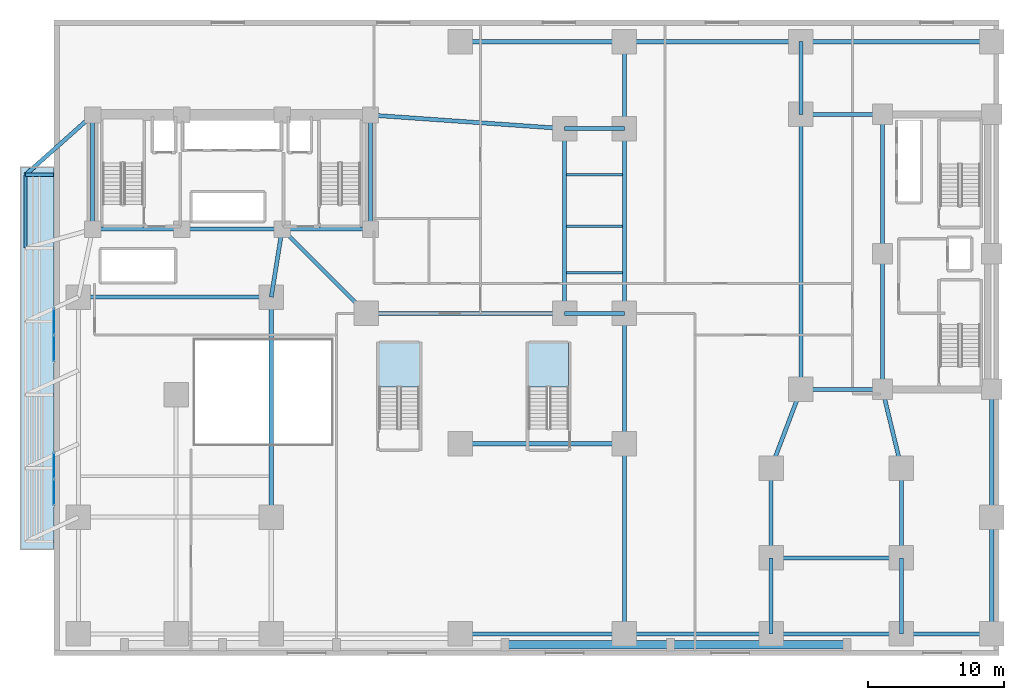
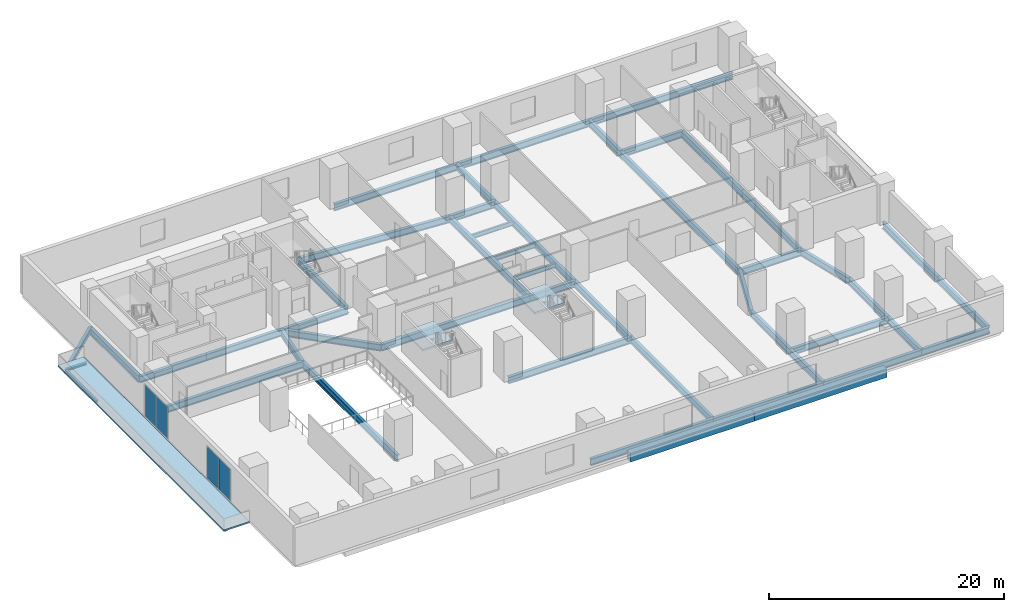
# One storey, part 5 of 13: 49 beams, 4 plates, 3 slabs, 4 elements without a shape of their own.
"""IFC4 building model written with IfcOpenShell, lengths in metres."""

import ifcopenshell
import ifcopenshell.guid

model = None  # the IFC model being written
_history = None  # IfcOwnerHistory: only IFC2X3 demands one
_inside = {}  # id of a spatial element -> (the spatial element, [elements in it])
_under = {}  # id of a project, library or spatial element -> (it, [spatial elements below it])
_declared = {}  # id of a project -> (the project, [libraries it declares])
_typed = {}  # id of a type object -> (the type object, [elements of that type])
_made_of = {}  # id of a material, layer set ... -> (it, [elements and type objects made of it])


def new_model(schema):
    """Start an empty IFC model of exactly this schema.

    Asked for "IFC4X3", IfcOpenShell would pick the latest addendum, in which some entities
    have other attributes; the version numbers below select the first issue.
    IFC2X3 requires an IfcOwnerHistory on every rooted entity: one is made here for all.
    """
    global model, _history
    if schema == "IFC4X3":
        model = ifcopenshell.file(schema_version=(4, 3, 0, 0))
    else:
        model = ifcopenshell.file(schema=schema)
    _inside.clear()
    _under.clear()
    _declared.clear()
    _typed.clear()
    _made_of.clear()
    _history = None
    if model.schema == "IFC2X3":
        org = make("IfcOrganization", Name="unknown")
        user = make(
            "IfcPersonAndOrganization",
            ThePerson=make("IfcPerson", FamilyName="unknown"),
            TheOrganization=org,
        )
        app = make(
            "IfcApplication",
            ApplicationDeveloper=org,
            Version="unknown",
            ApplicationFullName="unknown",
            ApplicationIdentifier="unknown",
        )
        _history = make(
            "IfcOwnerHistory",
            OwningUser=user,
            OwningApplication=app,
            ChangeAction="ADDED",
            CreationDate=0,
        )
    return model


def make(cls, **values):
    """One entity of the class cls with the attributes given. An attribute that is None is left unset."""
    return model.create_entity(
        cls, **{name: value for name, value in values.items() if value is not None}
    )


def rooted(cls, **values):
    """An entity with a GlobalId (a new one), such as an element, a storey or a relation."""
    return make(cls, GlobalId=ifcopenshell.guid.new(), OwnerHistory=_history, **values)


def si_unit(unit_type, name, prefix=None):
    """IfcSIUnit, for example si_unit("LENGTHUNIT", "METRE", prefix="MILLI")."""
    return make("IfcSIUnit", UnitType=unit_type, Prefix=prefix, Name=name)


def assignment(units):
    """IfcUnitAssignment: the units of a project."""
    return None if units is None else make("IfcUnitAssignment", Units=units)


def point(xyz):
    """IfcCartesianPoint."""
    return None if xyz is None else make("IfcCartesianPoint", Coordinates=xyz)


def direction(xyz):
    """IfcDirection."""
    return None if xyz is None else make("IfcDirection", DirectionRatios=xyz)


def frame(location, z_axis=None, x_axis=None):
    """IfcAxis2Placement3D, a coordinate frame: its origin and axes. An axis left out is left unset."""
    return make(
        "IfcAxis2Placement3D",
        Location=point(location),
        Axis=direction(z_axis),
        RefDirection=direction(x_axis),
    )


def frame_2d(location, x_axis=None):
    """IfcAxis2Placement2D, a coordinate frame in the plane: its origin and x axis."""
    return make(
        "IfcAxis2Placement2D", Location=point(location), RefDirection=direction(x_axis)
    )


def origin():
    """The frame at (0, 0, 0) with its axes left unset."""
    return frame((0.0, 0.0, 0.0))


def origin_2d():
    """The frame at (0, 0) in the plane with its x axis left unset."""
    return frame_2d((0.0, 0.0))


def place(relative_to, where):
    """IfcLocalPlacement: puts the frame where relative to a parent placement (None: the world)."""
    return make(
        "IfcLocalPlacement", PlacementRelTo=relative_to, RelativePlacement=where
    )


def context(
    kind, dimensions, precision=None, world=None, true_north=None, identifier=None
):
    """IfcGeometricRepresentationContext, for example the 3D "Model" context."""
    return make(
        "IfcGeometricRepresentationContext",
        ContextIdentifier=identifier,
        ContextType=kind,
        CoordinateSpaceDimension=dimensions,
        Precision=precision,
        WorldCoordinateSystem=world,
        TrueNorth=true_north,
    )


def subcontext(parent, identifier, kind, view, scale=None):
    """IfcGeometricRepresentationSubContext, for example "Body" below "Model"."""
    return make(
        "IfcGeometricRepresentationSubContext",
        ContextIdentifier=identifier,
        ContextType=kind,
        ParentContext=parent,
        TargetScale=scale,
        TargetView=view,
    )


def project(units=None, contexts=None):
    """IfcProject with its units and contexts."""
    return rooted(
        "IfcProject",
        Name="project",
        RepresentationContexts=contexts,
        UnitsInContext=assignment(units),
    )


def spatial(cls, under=None, at=None, **own):
    """A site, building, storey or space (cls), placed at a placement, below another one or the project."""
    s = rooted(cls, ObjectPlacement=at, **own)
    if under is not None:
        _under.setdefault(under.id(), (under, []))[1].append(s)
    return s


def polyline(points):
    """IfcPolyline through the points."""
    return make("IfcPolyline", Points=[point(p) for p in points])


def profile(cls, at=None, kind="AREA", **sizes):
    """A parametric profile (cls). Its sizes go by their IFC names, for example OverallWidth=200.0."""
    return make(cls, ProfileType=kind, Position=at, **sizes)


def rectangle(**sizes):
    """IfcRectangleProfileDef."""
    return profile("IfcRectangleProfileDef", **sizes)


def i_section(**sizes):
    """IfcIShapeProfileDef."""
    return profile("IfcIShapeProfileDef", **sizes)


def outline(outer, holes=None, kind="AREA"):
    """IfcArbitraryClosedProfileDef: a profile drawn as a closed curve; with holes, ...WithVoids."""
    if holes is None:
        return make("IfcArbitraryClosedProfileDef", ProfileType=kind, OuterCurve=outer)
    return make(
        "IfcArbitraryProfileDefWithVoids",
        ProfileType=kind,
        OuterCurve=outer,
        InnerCurves=holes,
    )


def extrude(swept, where, along, depth):
    """IfcExtrudedAreaSolid: the profile swept, set in the frame where, extruded along a direction by depth."""
    return make(
        "IfcExtrudedAreaSolid",
        SweptArea=swept,
        Position=where,
        ExtrudedDirection=direction(along),
        Depth=depth,
    )


def shape(context_of_items, identifier, shape_type, items):
    """IfcShapeRepresentation: the items that make up one representation, for example the "Body"."""
    return make(
        "IfcShapeRepresentation",
        ContextOfItems=context_of_items,
        RepresentationIdentifier=identifier,
        RepresentationType=shape_type,
        Items=items,
    )


def material(Name=None, Category=None):
    """IfcMaterial."""
    return make("IfcMaterial", Name=Name, Category=Category)


def layer(
    of_material, thickness, ventilated=None, Name=None, Category=None, Priority=None
):
    """IfcMaterialLayer: one layer of a wall or slab, of a material (None: an air gap)."""
    return make(
        "IfcMaterialLayer",
        Material=of_material,
        LayerThickness=thickness,
        IsVentilated=ventilated,
        Name=Name,
        Category=Category,
        Priority=Priority,
    )


def layer_set(layers, Name=None):
    """IfcMaterialLayerSet."""
    return make("IfcMaterialLayerSet", MaterialLayers=layers, LayerSetName=Name)


def material_profile(
    of_material, cross_section, Name=None, Category=None, Priority=None
):
    """IfcMaterialProfile: a cross section and its material."""
    return make(
        "IfcMaterialProfile",
        Name=Name,
        Material=of_material,
        Profile=cross_section,
        Priority=Priority,
        Category=Category,
    )


def profile_set(profiles, Name=None, composite=None):
    """IfcMaterialProfileSet."""
    return make(
        "IfcMaterialProfileSet",
        Name=Name,
        MaterialProfiles=profiles,
        CompositeProfile=composite,
    )


def made_of(thing, what):
    """Note that an element or type object is made of a material, layer set ...; save() writes the relation."""
    if what is not None:
        _made_of.setdefault(what.id(), (what, []))[1].append(thing)
    return thing


def type_object(cls, material=None, **own):
    """A type object (cls), such as IfcWallType, which elements share."""
    return made_of(rooted(cls, **own), material)


def element(
    cls,
    number,
    at=None,
    inside=None,
    cuts=None,
    type_object=None,
    material=None,
    context=None,
    identifier="Body",
    shape_type=None,
    held_by="IfcProductDefinitionShape",
    body=None,
    shapes=None,
    **own,
):
    """One element of the class cls, such as IfcWall. Its Tag is "e" and its number.

    at: its placement. inside: the storey or other place that contains it. cuts: it is an
    opening in that element (IfcRelVoidsElement). A single representation is given by context,
    identifier, shape_type and body (its items); several are given by shapes. held_by: the class
    of the entity that holds the representations. save() writes the other relations.
    """
    e = rooted(cls, Tag="e%d" % number, ObjectPlacement=at, **own)
    if body is not None:
        shapes = [shape(context, identifier, shape_type, body)]
    if shapes is not None:
        e.Representation = make(held_by, Representations=shapes)
    if inside is not None:
        _inside.setdefault(inside.id(), (inside, []))[1].append(e)
    if cuts is not None:
        rooted(
            "IfcRelVoidsElement", RelatingBuildingElement=cuts, RelatedOpeningElement=e
        )
    if type_object is not None:
        _typed.setdefault(type_object.id(), (type_object, []))[1].append(e)
    return made_of(e, material)


def aggregate(whole, parts):
    """IfcRelAggregates: a whole, such as a stair, and the parts it consists of."""
    return rooted("IfcRelAggregates", RelatingObject=whole, RelatedObjects=parts)


def save(model, path):
    """Write the relations noted so far, then the file.

    IfcRelAggregates (storeys below a building ...), IfcRelContainedInSpatialStructure (elements
    in a storey), IfcRelDefinesByType, IfcRelAssociatesMaterial and IfcRelDeclares: one each for
    every whole, place, type object, material and project.
    """
    for whole, parts in _under.values():
        aggregate(whole, parts)
    for where, things in _inside.values():
        rooted(
            "IfcRelContainedInSpatialStructure",
            RelatedElements=things,
            RelatingStructure=where,
        )
    for kind, things in _typed.values():
        rooted("IfcRelDefinesByType", RelatedObjects=things, RelatingType=kind)
    for what, things in _made_of.values():
        rooted("IfcRelAssociatesMaterial", RelatedObjects=things, RelatingMaterial=what)
    for by, libraries in _declared.values():
        rooted("IfcRelDeclares", RelatingContext=by, RelatedDefinitions=libraries)
    model.write(path)


model = new_model("IFC4")

# Units and contexts
model_context = context("Model", 3, precision=1e-05, world=origin(), true_north=direction((0.0, 1.0)))
body_context = subcontext(model_context, "Body", "Model", "MODEL_VIEW")
ifc_project = project(units=[si_unit("LENGTHUNIT", "METRE"), si_unit("AREAUNIT", "SQUARE_METRE"), si_unit("VOLUMEUNIT", "CUBIC_METRE"), si_unit("PLANEANGLEUNIT", "RADIAN"), si_unit("MASSUNIT", "GRAM", prefix="KILO")], contexts=[model_context])

# Site, building, storey
site_placement = place(None, origin())
site = spatial("IfcSite", under=ifc_project, at=site_placement, CompositionType="ELEMENT")
building_placement = place(site_placement, origin())
building = spatial("IfcBuilding", under=site, at=building_placement, Name="Kuzgunbayir Cultural Tower", CompositionType="ELEMENT")
storey_placement = place(building_placement, frame((0.0, 0.0, 4.60009765625)))
storey = spatial("IfcBuildingStorey", under=building, at=storey_placement, Name="L01", CompositionType="ELEMENT", Elevation=4.60009765625)

# Beams
ifc_material_1 = material(Name="Steel S355J2", Category="steel")
ifc_material_profile_1 = material_profile(ifc_material_1, i_section(OverallWidth=0.219970703125, OverallDepth=0.219970703125, WebThickness=0.009521484375, FlangeThickness=0.01611328125, FilletRadius=0.01806640625, at=origin_2d()), Name="HEB 220")
ifc_profile_set_1 = profile_set([ifc_material_profile_1], Name="Steel S355J2")
beam_type_1 = type_object("IfcBeamType", Name="BM-CAN-HEB220", PredefinedType="BEAM", material=ifc_profile_set_1)
beam_1_placement = place(storey_placement, frame((1.5, 32.39990234375, -0.360107421875), z_axis=(0.0, 1.0, 0.0), x_axis=(-1.0, 0.0, 0.0)))
element("IfcBeam", 1, at=beam_1_placement, inside=storey, type_object=beam_type_1, Name="L01 Entrance Canopy Edge Beam 5", PredefinedType="BEAM", context=body_context, shape_type="SweptSolid", body=[
    extrude(i_section(OverallWidth=0.219970703125, OverallDepth=0.219970703125, WebThickness=0.009521484375, FlangeThickness=0.01611328125, FilletRadius=0.01806640625, at=origin_2d()), origin(), (0.0, 0.0, 1.0), 5.400146484375),
])
ifc_material_profile_2 = material_profile(ifc_material_1, i_section(OverallWidth=0.239990234375, OverallDepth=0.239990234375, WebThickness=0.010009765625, FlangeThickness=0.01708984375, FilletRadius=0.02099609375, at=origin_2d()), Name="HEB 240")
ifc_profile_set_2 = profile_set([ifc_material_profile_2], Name="Steel S355J2")
beam_type_2 = type_object("IfcBeamType", Name="BM-CAN-HEB240", PredefinedType="BEAM", material=ifc_profile_set_2)
beam_2_placement = place(storey_placement, frame((1.5, 37.800048828125, -0.3701171875), z_axis=(1.0, 0.0, 0.0), x_axis=(0.0, 1.0, 0.0)))
element("IfcBeam", 2, at=beam_2_placement, inside=storey, type_object=beam_type_2, Name="L01 Entrance Canopy Cantilever 6", PredefinedType="BEAM", context=body_context, shape_type="SweptSolid", body=[
    extrude(i_section(OverallWidth=0.239990234375, OverallDepth=0.239990234375, WebThickness=0.010009765625, FlangeThickness=0.01708984375, FilletRadius=0.02099609375, at=origin_2d()), origin(), (0.0, 0.0, 1.0), 2.050048828125),
])
ifc_material_profile_3 = material_profile(ifc_material_1, i_section(OverallWidth=0.300048828125, OverallDepth=0.5, WebThickness=0.014404296875, FlangeThickness=0.028076171875, FilletRadius=0.027099609375, at=origin_2d()), Name="HEB 500")
ifc_profile_set_3 = profile_set([ifc_material_profile_3], Name="Steel S355J2")
beam_type_3 = type_object("IfcBeamType", Name="BM-EXT-HEB500", PredefinedType="BEAM", material=ifc_profile_set_3)
beam_3_placement = place(storey_placement, frame((1.5, 37.800048828125, -0.5), z_axis=(0.747413386398, 0.664359262623, 0.0), x_axis=(-0.664359262623, 0.747413386398, 0.0)))
element("IfcBeam", 3, at=beam_3_placement, inside=storey, type_object=beam_type_3, Name="L01 Colonnade Core Tie North", PredefinedType="BEAM", context=body_context, shape_type="SweptSolid", body=[
    extrude(i_section(OverallWidth=0.300048828125, OverallDepth=0.5, WebThickness=0.014404296875, FlangeThickness=0.028076171875, FilletRadius=0.027099609375, at=origin_2d()), origin(), (0.0, 0.0, 1.0), 6.622802734375),
])
ifc_material_profile_4 = material_profile(ifc_material_1, i_section(OverallWidth=0.300048828125, OverallDepth=0.699951171875, WebThickness=0.01708984375, FlangeThickness=0.031982421875, FilletRadius=0.027099609375, at=origin_2d()), Name="HEB 700")
ifc_profile_set_4 = profile_set([ifc_material_profile_4], Name="Steel S355J2")
beam_type_4 = type_object("IfcBeamType", Name="BM-GIR-HEB700", PredefinedType="BEAM", material=ifc_profile_set_4)
beam_4_placement = place(storey_placement, frame((33.5, 4.0, -0.60009765625), z_axis=(1.0, 0.0, 0.0), x_axis=(0.0, 1.0, 0.0)))
element("IfcBeam", 4, at=beam_4_placement, inside=storey, type_object=beam_type_4, Name="L01 Podium South Girder 4", PredefinedType="BEAM", context=body_context, shape_type="SweptSolid", body=[
    extrude(i_section(OverallWidth=0.300048828125, OverallDepth=0.699951171875, WebThickness=0.01708984375, FlangeThickness=0.031982421875, FilletRadius=0.027099609375, at=origin_2d()), origin(), (0.0, 0.0, 1.0), 12.10009765625),
])
beam_5_placement = place(storey_placement, frame((45.60009765625, 4.0, -0.60009765625), z_axis=(1.0, 0.0, 0.0), x_axis=(0.0, 1.0, 0.0)))
element("IfcBeam", 5, at=beam_5_placement, inside=storey, type_object=beam_type_4, Name="L01 Podium South Girder 5", PredefinedType="BEAM", context=body_context, shape_type="SweptSolid", body=[
    extrude(i_section(OverallWidth=0.300048828125, OverallDepth=0.699951171875, WebThickness=0.01708984375, FlangeThickness=0.031982421875, FilletRadius=0.027099609375, at=origin_2d()), origin(), (0.0, 0.0, 1.0), 10.7998046875),
])
beam_6_placement = place(storey_placement, frame((56.39990234375, 4.0, -0.60009765625), z_axis=(1.0, 0.0, 0.0), x_axis=(0.0, 1.0, 0.0)))
element("IfcBeam", 6, at=beam_6_placement, inside=storey, type_object=beam_type_4, Name="L01 Podium South Girder 6", PredefinedType="BEAM", context=body_context, shape_type="SweptSolid", body=[
    extrude(i_section(OverallWidth=0.300048828125, OverallDepth=0.699951171875, WebThickness=0.01708984375, FlangeThickness=0.031982421875, FilletRadius=0.027099609375, at=origin_2d()), origin(), (0.0, 0.0, 1.0), 9.60009765625),
])
beam_7_placement = place(storey_placement, frame((66.0, 4.0, -0.60009765625), z_axis=(1.0, 0.0, 0.0), x_axis=(0.0, 1.0, 0.0)))
element("IfcBeam", 7, at=beam_7_placement, inside=storey, type_object=beam_type_4, Name="L01 Podium South Girder 7", PredefinedType="BEAM", context=body_context, shape_type="SweptSolid", body=[
    extrude(i_section(OverallWidth=0.300048828125, OverallDepth=0.699951171875, WebThickness=0.01708984375, FlangeThickness=0.031982421875, FilletRadius=0.027099609375, at=origin_2d()), origin(), (0.0, 0.0, 1.0), 6.64990234375),
])
beam_8_placement = place(storey_placement, frame((33.5, 47.60009765625, -0.60009765625), z_axis=(1.0, 0.0, 0.0), x_axis=(0.0, 1.0, 0.0)))
element("IfcBeam", 8, at=beam_8_placement, inside=storey, type_object=beam_type_4, Name="L01 Podium North Girder 1", PredefinedType="BEAM", context=body_context, shape_type="SweptSolid", body=[
    extrude(i_section(OverallWidth=0.300048828125, OverallDepth=0.699951171875, WebThickness=0.01708984375, FlangeThickness=0.031982421875, FilletRadius=0.027099609375, at=origin_2d()), origin(), (0.0, 0.0, 1.0), 12.10009765625),
])
beam_9_placement = place(storey_placement, frame((45.60009765625, 47.60009765625, -0.60009765625), z_axis=(1.0, 0.0, 0.0), x_axis=(0.0, 1.0, 0.0)))
element("IfcBeam", 9, at=beam_9_placement, inside=storey, type_object=beam_type_4, Name="L01 Podium North Girder 2", PredefinedType="BEAM", context=body_context, shape_type="SweptSolid", body=[
    extrude(i_section(OverallWidth=0.300048828125, OverallDepth=0.699951171875, WebThickness=0.01708984375, FlangeThickness=0.031982421875, FilletRadius=0.027099609375, at=origin_2d()), origin(), (0.0, 0.0, 1.0), 13.0),
])
beam_10_placement = place(storey_placement, frame((58.60009765625, 47.60009765625, -0.60009765625), z_axis=(1.0, 0.0, 0.0), x_axis=(0.0, 1.0, 0.0)))
element("IfcBeam", 10, at=beam_10_placement, inside=storey, type_object=beam_type_4, Name="L01 Podium North Girder 3", PredefinedType="BEAM", context=body_context, shape_type="SweptSolid", body=[
    extrude(i_section(OverallWidth=0.300048828125, OverallDepth=0.699951171875, WebThickness=0.01708984375, FlangeThickness=0.031982421875, FilletRadius=0.027099609375, at=origin_2d()), origin(), (0.0, 0.0, 1.0), 14.0498046875),
])
beam_11_placement = place(storey_placement, frame((5.39990234375, 28.800048828125, -0.60009765625), z_axis=(1.0, 0.0, 0.0), x_axis=(0.0, 1.0, 0.0)))
element("IfcBeam", 11, at=beam_11_placement, inside=storey, type_object=beam_type_4, Name="L01 Podium Primary Girder 3", PredefinedType="BEAM", context=body_context, shape_type="SweptSolid", body=[
    extrude(i_section(OverallWidth=0.300048828125, OverallDepth=0.699951171875, WebThickness=0.01708984375, FlangeThickness=0.031982421875, FilletRadius=0.027099609375, at=origin_2d()), origin(), (0.0, 0.0, 1.0), 14.2001953125),
])
beam_12_placement = place(storey_placement, frame((19.60009765625, 12.60009765625, -0.60009765625), z_axis=(0.0, 1.0, 0.0), x_axis=(-1.0, 0.0, 0.0)))
element("IfcBeam", 12, at=beam_12_placement, inside=storey, type_object=beam_type_4, Name="L01 Podium Primary Girder 5", PredefinedType="BEAM", context=body_context, shape_type="SweptSolid", body=[
    extrude(i_section(OverallWidth=0.300048828125, OverallDepth=0.699951171875, WebThickness=0.01708984375, FlangeThickness=0.031982421875, FilletRadius=0.027099609375, at=origin_2d()), origin(), (0.0, 0.0, 1.0), 16.199951171875),
])
beam_13_placement = place(storey_placement, frame((19.60009765625, 28.800048828125, -0.60009765625), z_axis=(0.157952891656, 0.987446648694, 0.0), x_axis=(-0.987446648694, 0.157952891656, 0.0)))
element("IfcBeam", 13, at=beam_13_placement, inside=storey, type_object=beam_type_4, Name="L01 Podium Primary Girder 8", PredefinedType="BEAM", context=body_context, shape_type="SweptSolid", body=[
    extrude(i_section(OverallWidth=0.300048828125, OverallDepth=0.699951171875, WebThickness=0.01708984375, FlangeThickness=0.031982421875, FilletRadius=0.027099609375, at=origin_2d()), origin(), (0.0, 0.0, 1.0), 5.0634765625),
])
beam_14_placement = place(storey_placement, frame((20.39990234375, 33.800048828125, -0.60009765625), z_axis=(0.707120702941, -0.707092859158, 0.0), x_axis=(0.707092859158, 0.707120702941, 0.0)))
element("IfcBeam", 14, at=beam_14_placement, inside=storey, type_object=beam_type_4, Name="L01 Podium Primary Girder 9", PredefinedType="BEAM", context=body_context, shape_type="SweptSolid", body=[
    extrude(i_section(OverallWidth=0.300048828125, OverallDepth=0.699951171875, WebThickness=0.01708984375, FlangeThickness=0.031982421875, FilletRadius=0.027099609375, at=origin_2d()), origin(), (0.0, 0.0, 1.0), 8.768310546875),
])
beam_15_placement = place(storey_placement, frame((26.60009765625, 27.60009765625, -0.60009765625), z_axis=(1.0, 0.0, 0.0), x_axis=(0.0, 1.0, 0.0)))
element("IfcBeam", 15, at=beam_15_placement, inside=storey, type_object=beam_type_4, Name="L01 Podium Primary Girder 10", PredefinedType="BEAM", context=body_context, shape_type="SweptSolid", body=[
    extrude(i_section(OverallWidth=0.300048828125, OverallDepth=0.699951171875, WebThickness=0.01708984375, FlangeThickness=0.031982421875, FilletRadius=0.027099609375, at=origin_2d()), origin(), (0.0, 0.0, 1.0), 14.599853515625),
])
beam_16_placement = place(storey_placement, frame((41.199951171875, 27.60009765625, -0.60009765625), z_axis=(1.0, 0.0, 0.0), x_axis=(0.0, 1.0, 0.0)))
element("IfcBeam", 16, at=beam_16_placement, inside=storey, type_object=beam_type_4, Name="L01 Podium Primary Girder 11", PredefinedType="BEAM", context=body_context, shape_type="SweptSolid", body=[
    extrude(i_section(OverallWidth=0.300048828125, OverallDepth=0.699951171875, WebThickness=0.01708984375, FlangeThickness=0.031982421875, FilletRadius=0.027099609375, at=origin_2d()), origin(), (0.0, 0.0, 1.0), 4.400146484375),
])
beam_17_placement = place(storey_placement, frame((26.89990234375, 42.199951171875, -0.60009765625), z_axis=(0.997563840671, -0.06975947094, 0.0), x_axis=(0.06975947094, 0.997563840671, 0.0)))
element("IfcBeam", 17, at=beam_17_placement, inside=storey, type_object=beam_type_4, Name="L01 Podium Primary Girder 12", PredefinedType="BEAM", context=body_context, shape_type="SweptSolid", body=[
    extrude(i_section(OverallWidth=0.300048828125, OverallDepth=0.699951171875, WebThickness=0.01708984375, FlangeThickness=0.031982421875, FilletRadius=0.027099609375, at=origin_2d()), origin(), (0.0, 0.0, 1.0), 14.3349609375),
])
beam_18_placement = place(storey_placement, frame((41.199951171875, 41.199951171875, -0.60009765625), z_axis=(1.0, 0.0, 0.0), x_axis=(0.0, 1.0, 0.0)))
element("IfcBeam", 18, at=beam_18_placement, inside=storey, type_object=beam_type_4, Name="L01 Podium Primary Girder 13", PredefinedType="BEAM", context=body_context, shape_type="SweptSolid", body=[
    extrude(i_section(OverallWidth=0.300048828125, OverallDepth=0.699951171875, WebThickness=0.01708984375, FlangeThickness=0.031982421875, FilletRadius=0.027099609375, at=origin_2d()), origin(), (0.0, 0.0, 1.0), 4.400146484375),
])
for number, where, z_axis, x_axis, name in (
    (19, (41.199951171875, 27.60009765625, -0.60009765625), (0.0, 1.0, 0.0), (-1.0, 0.0, 0.0), "L01 Podium Primary Girder 14"),
    (20, (45.60009765625, 27.60009765625, -0.60009765625), (0.0, 1.0, 0.0), (-1.0, 0.0, 0.0), "L01 Podium Primary Girder 15"),
):
    element("IfcBeam", number, at=place(storey_placement, frame(where, z_axis=z_axis, x_axis=x_axis)), inside=storey, type_object=beam_type_4, Name=name, PredefinedType="BEAM", context=body_context, shape_type="SweptSolid", body=[
        extrude(i_section(OverallWidth=0.300048828125, OverallDepth=0.699951171875, WebThickness=0.01708984375, FlangeThickness=0.031982421875, FilletRadius=0.027099609375, at=origin_2d()), origin(), (0.0, 0.0, 1.0), 13.599853515625),
    ])
beam_19_placement = place(storey_placement, frame((33.5, 18.0, -0.60009765625), z_axis=(1.0, 0.0, 0.0), x_axis=(0.0, 1.0, 0.0)))
element("IfcBeam", 21, at=beam_19_placement, inside=storey, type_object=beam_type_4, Name="L01 Podium Primary Girder 16", PredefinedType="BEAM", context=body_context, shape_type="SweptSolid", body=[
    extrude(i_section(OverallWidth=0.300048828125, OverallDepth=0.699951171875, WebThickness=0.01708984375, FlangeThickness=0.031982421875, FilletRadius=0.027099609375, at=origin_2d()), origin(), (0.0, 0.0, 1.0), 12.10009765625),
])
for number, where, z_axis, x_axis, name in (
    (22, (45.60009765625, 18.0, -0.60009765625), (0.0, 1.0, 0.0), (-1.0, 0.0, 0.0), "L01 Podium Primary Girder 17"),
    (23, (56.39990234375, 9.60009765625, -0.60009765625), (1.0, 0.0, 0.0), (0.0, 1.0, 0.0), "L01 Podium Primary Girder 18"),
):
    element("IfcBeam", number, at=place(storey_placement, frame(where, z_axis=z_axis, x_axis=x_axis)), inside=storey, type_object=beam_type_4, Name=name, PredefinedType="BEAM", context=body_context, shape_type="SweptSolid", body=[
        extrude(i_section(OverallWidth=0.300048828125, OverallDepth=0.699951171875, WebThickness=0.01708984375, FlangeThickness=0.031982421875, FilletRadius=0.027099609375, at=origin_2d()), origin(), (0.0, 0.0, 1.0), 9.60009765625),
    ])
beam_20_placement = place(storey_placement, frame((56.39990234375, 9.60009765625, -0.60009765625), z_axis=(0.0, 1.0, 0.0), x_axis=(-1.0, 0.0, 0.0)))
element("IfcBeam", 24, at=beam_20_placement, inside=storey, type_object=beam_type_4, Name="L01 Podium Primary Girder 19", PredefinedType="BEAM", context=body_context, shape_type="SweptSolid", body=[
    extrude(i_section(OverallWidth=0.300048828125, OverallDepth=0.699951171875, WebThickness=0.01708984375, FlangeThickness=0.031982421875, FilletRadius=0.027099609375, at=origin_2d()), origin(), (0.0, 0.0, 1.0), 6.599853515625),
])
beam_21_placement = place(storey_placement, frame((56.39990234375, 16.199951171875, -0.60009765625), z_axis=(0.354679148754, 0.93498807556, 0.0), x_axis=(-0.93498807556, 0.354679148754, 0.0)))
element("IfcBeam", 25, at=beam_21_placement, inside=storey, type_object=beam_type_4, Name="L01 Podium Primary Girder 20", PredefinedType="BEAM", context=body_context, shape_type="SweptSolid", body=[
    extrude(i_section(OverallWidth=0.300048828125, OverallDepth=0.699951171875, WebThickness=0.01708984375, FlangeThickness=0.031982421875, FilletRadius=0.027099609375, at=origin_2d()), origin(), (0.0, 0.0, 1.0), 6.203369140625),
])
beam_22_placement = place(storey_placement, frame((66.0, 9.60009765625, -0.60009765625), z_axis=(0.0, 1.0, 0.0), x_axis=(-1.0, 0.0, 0.0)))
element("IfcBeam", 26, at=beam_22_placement, inside=storey, type_object=beam_type_4, Name="L01 Podium Primary Girder 21", PredefinedType="BEAM", context=body_context, shape_type="SweptSolid", body=[
    extrude(i_section(OverallWidth=0.300048828125, OverallDepth=0.699951171875, WebThickness=0.01708984375, FlangeThickness=0.031982421875, FilletRadius=0.027099609375, at=origin_2d()), origin(), (0.0, 0.0, 1.0), 6.599853515625),
])
beam_23_placement = place(storey_placement, frame((66.0, 16.199951171875, -0.60009765625), z_axis=(-0.234623200431, 0.972086392158, 0.0), x_axis=(-0.972086392158, -0.234623200431, 0.0)))
element("IfcBeam", 27, at=beam_23_placement, inside=storey, type_object=beam_type_4, Name="L01 Podium Primary Girder 22", PredefinedType="BEAM", context=body_context, shape_type="SweptSolid", body=[
    extrude(i_section(OverallWidth=0.300048828125, OverallDepth=0.699951171875, WebThickness=0.01708984375, FlangeThickness=0.031982421875, FilletRadius=0.027099609375, at=origin_2d()), origin(), (0.0, 0.0, 1.0), 5.966552734375),
])
for number, where, z_axis, x_axis, name in (
    (28, (58.60009765625, 22.0, -0.60009765625), (1.0, 0.0, 0.0), (0.0, 1.0, 0.0), "L01 Podium Primary Girder 23"),
    (29, (58.60009765625, 42.25, -0.60009765625), (1.0, 0.0, 0.0), (0.0, 1.0, 0.0), "L01 Podium Primary Girder 24"),
):
    element("IfcBeam", number, at=place(storey_placement, frame(where, z_axis=z_axis, x_axis=x_axis)), inside=storey, type_object=beam_type_4, Name=name, PredefinedType="BEAM", context=body_context, shape_type="SweptSolid", body=[
        extrude(i_section(OverallWidth=0.300048828125, OverallDepth=0.699951171875, WebThickness=0.01708984375, FlangeThickness=0.031982421875, FilletRadius=0.027099609375, at=origin_2d()), origin(), (0.0, 0.0, 1.0), 6.0),
    ])
beam_24_placement = place(storey_placement, frame((58.60009765625, 22.0, -0.60009765625), z_axis=(0.0, 1.0, 0.0), x_axis=(-1.0, 0.0, 0.0)))
element("IfcBeam", 30, at=beam_24_placement, inside=storey, type_object=beam_type_4, Name="L01 Podium Primary Girder 25", PredefinedType="BEAM", context=body_context, shape_type="SweptSolid", body=[
    extrude(i_section(OverallWidth=0.300048828125, OverallDepth=0.699951171875, WebThickness=0.01708984375, FlangeThickness=0.031982421875, FilletRadius=0.027099609375, at=origin_2d()), origin(), (0.0, 0.0, 1.0), 20.25),
])
beam_25_placement = place(storey_placement, frame((64.60009765625, 22.0, -0.60009765625), z_axis=(0.0, 1.0, 0.0), x_axis=(-1.0, 0.0, 0.0)))
element("IfcBeam", 31, at=beam_25_placement, inside=storey, type_object=beam_type_4, Name="L01 Podium Primary Girder 26", PredefinedType="BEAM", context=body_context, shape_type="SweptSolid", body=[
    extrude(i_section(OverallWidth=0.300048828125, OverallDepth=0.699951171875, WebThickness=0.01708984375, FlangeThickness=0.031982421875, FilletRadius=0.027099609375, at=origin_2d()), origin(), (0.0, 0.0, 1.0), 10.0),
])
beam_26_placement = place(storey_placement, frame((64.60009765625, 32.0, -0.60009765625), z_axis=(0.0, 1.0, 0.0), x_axis=(-1.0, 0.0, 0.0)))
element("IfcBeam", 32, at=beam_26_placement, inside=storey, type_object=beam_type_4, Name="L01 Podium Primary Girder 27", PredefinedType="BEAM", context=body_context, shape_type="SweptSolid", body=[
    extrude(i_section(OverallWidth=0.300048828125, OverallDepth=0.699951171875, WebThickness=0.01708984375, FlangeThickness=0.031982421875, FilletRadius=0.027099609375, at=origin_2d()), origin(), (0.0, 0.0, 1.0), 10.25),
])
beam_27_placement = place(storey_placement, frame((6.449951171875, 33.800048828125, -0.60009765625), z_axis=(1.0, 0.0, 0.0), x_axis=(0.0, 1.0, 0.0)))
element("IfcBeam", 33, at=beam_27_placement, inside=storey, type_object=beam_type_4, Name="L01 Podium Primary Girder 28", PredefinedType="BEAM", context=body_context, shape_type="SweptSolid", body=[
    extrude(i_section(OverallWidth=0.300048828125, OverallDepth=0.699951171875, WebThickness=0.01708984375, FlangeThickness=0.031982421875, FilletRadius=0.027099609375, at=origin_2d()), origin(), (0.0, 0.0, 1.0), 6.550048828125),
])
beam_28_placement = place(storey_placement, frame((13.0, 33.800048828125, -0.60009765625), z_axis=(1.0, 0.0, 0.0), x_axis=(0.0, 1.0, 0.0)))
element("IfcBeam", 34, at=beam_28_placement, inside=storey, type_object=beam_type_4, Name="L01 Podium Primary Girder 29", PredefinedType="BEAM", context=body_context, shape_type="SweptSolid", body=[
    extrude(i_section(OverallWidth=0.300048828125, OverallDepth=0.699951171875, WebThickness=0.01708984375, FlangeThickness=0.031982421875, FilletRadius=0.027099609375, at=origin_2d()), origin(), (0.0, 0.0, 1.0), 7.39990234375),
])
beam_29_placement = place(storey_placement, frame((20.39990234375, 33.800048828125, -0.60009765625), z_axis=(1.0, 0.0, 0.0), x_axis=(0.0, 1.0, 0.0)))
element("IfcBeam", 35, at=beam_29_placement, inside=storey, type_object=beam_type_4, Name="L01 Podium Primary Girder 30", PredefinedType="BEAM", context=body_context, shape_type="SweptSolid", body=[
    extrude(i_section(OverallWidth=0.300048828125, OverallDepth=0.699951171875, WebThickness=0.01708984375, FlangeThickness=0.031982421875, FilletRadius=0.027099609375, at=origin_2d()), origin(), (0.0, 0.0, 1.0), 6.5),
])
for number, where, z_axis, x_axis, name in (
    (36, (6.449951171875, 33.800048828125, -0.60009765625), (0.0, 1.0, 0.0), (-1.0, 0.0, 0.0), "L01 Podium Primary Girder 31"),
    (37, (26.89990234375, 33.800048828125, -0.60009765625), (0.0, 1.0, 0.0), (-1.0, 0.0, 0.0), "L01 Podium Primary Girder 32"),
):
    element("IfcBeam", number, at=place(storey_placement, frame(where, z_axis=z_axis, x_axis=x_axis)), inside=storey, type_object=beam_type_4, Name=name, PredefinedType="BEAM", context=body_context, shape_type="SweptSolid", body=[
        extrude(i_section(OverallWidth=0.300048828125, OverallDepth=0.699951171875, WebThickness=0.01708984375, FlangeThickness=0.031982421875, FilletRadius=0.027099609375, at=origin_2d()), origin(), (0.0, 0.0, 1.0), 8.39990234375),
    ])
beam_30_placement = place(storey_placement, frame((45.60009765625, 4.0, -0.60009765625), z_axis=(0.0, 1.0, 0.0), x_axis=(-1.0, 0.0, 0.0)))
element("IfcBeam", 38, at=beam_30_placement, inside=storey, type_object=beam_type_4, Name="L01 Podium Primary Girder 36", PredefinedType="BEAM", context=body_context, shape_type="SweptSolid", body=[
    extrude(i_section(OverallWidth=0.300048828125, OverallDepth=0.699951171875, WebThickness=0.01708984375, FlangeThickness=0.031982421875, FilletRadius=0.027099609375, at=origin_2d()), origin(), (0.0, 0.0, 1.0), 14.0),
])
for number, where, z_axis, x_axis, name in (
    (39, (56.39990234375, 4.0, -0.60009765625), (0.0, 1.0, 0.0), (-1.0, 0.0, 0.0), "L01 Podium Primary Girder 37"),
    (40, (66.0, 4.0, -0.60009765625), (0.0, 1.0, 0.0), (-1.0, 0.0, 0.0), "L01 Podium Primary Girder 38"),
):
    element("IfcBeam", number, at=place(storey_placement, frame(where, z_axis=z_axis, x_axis=x_axis)), inside=storey, type_object=beam_type_4, Name=name, PredefinedType="BEAM", context=body_context, shape_type="SweptSolid", body=[
        extrude(i_section(OverallWidth=0.300048828125, OverallDepth=0.699951171875, WebThickness=0.01708984375, FlangeThickness=0.031982421875, FilletRadius=0.027099609375, at=origin_2d()), origin(), (0.0, 0.0, 1.0), 5.60009765625),
    ])
beam_31_placement = place(storey_placement, frame((72.64990234375, 4.0, -0.60009765625), z_axis=(0.0, 1.0, 0.0), x_axis=(-1.0, 0.0, 0.0)))
element("IfcBeam", 41, at=beam_31_placement, inside=storey, type_object=beam_type_4, Name="L01 Podium Primary Girder 39", PredefinedType="BEAM", context=body_context, shape_type="SweptSolid", body=[
    extrude(i_section(OverallWidth=0.300048828125, OverallDepth=0.699951171875, WebThickness=0.01708984375, FlangeThickness=0.031982421875, FilletRadius=0.027099609375, at=origin_2d()), origin(), (0.0, 0.0, 1.0), 8.60009765625),
])
beam_32_placement = place(storey_placement, frame((72.64990234375, 12.60009765625, -0.60009765625), z_axis=(0.0, 1.0, 0.0), x_axis=(-1.0, 0.0, 0.0)))
element("IfcBeam", 42, at=beam_32_placement, inside=storey, type_object=beam_type_4, Name="L01 Podium Primary Girder 40", PredefinedType="BEAM", context=body_context, shape_type="SweptSolid", body=[
    extrude(i_section(OverallWidth=0.300048828125, OverallDepth=0.699951171875, WebThickness=0.01708984375, FlangeThickness=0.031982421875, FilletRadius=0.027099609375, at=origin_2d()), origin(), (0.0, 0.0, 1.0), 9.39990234375),
])
beam_33_placement = place(storey_placement, frame((45.60009765625, 41.199951171875, -0.60009765625), z_axis=(0.0, 1.0, 0.0), x_axis=(-1.0, 0.0, 0.0)))
element("IfcBeam", 43, at=beam_33_placement, inside=storey, type_object=beam_type_4, Name="L01 Podium Primary Girder 41", PredefinedType="BEAM", context=body_context, shape_type="SweptSolid", body=[
    extrude(i_section(OverallWidth=0.300048828125, OverallDepth=0.699951171875, WebThickness=0.01708984375, FlangeThickness=0.031982421875, FilletRadius=0.027099609375, at=origin_2d()), origin(), (0.0, 0.0, 1.0), 6.400146484375),
])
beam_34_placement = place(storey_placement, frame((58.60009765625, 42.25, -0.60009765625), z_axis=(0.0, 1.0, 0.0), x_axis=(-1.0, 0.0, 0.0)))
element("IfcBeam", 44, at=beam_34_placement, inside=storey, type_object=beam_type_4, Name="L01 Podium Primary Girder 42", PredefinedType="BEAM", context=body_context, shape_type="SweptSolid", body=[
    extrude(i_section(OverallWidth=0.300048828125, OverallDepth=0.699951171875, WebThickness=0.01708984375, FlangeThickness=0.031982421875, FilletRadius=0.027099609375, at=origin_2d()), origin(), (0.0, 0.0, 1.0), 5.35009765625),
])
ifc_material_profile_5 = material_profile(ifc_material_1, i_section(OverallWidth=0.18994140625, OverallDepth=0.449951171875, WebThickness=0.009521484375, FlangeThickness=0.0146484375, FilletRadius=0.02099609375, at=origin_2d()), Name="IPE 450")
ifc_profile_set_5 = profile_set([ifc_material_profile_5], Name="Steel S355J2")
beam_type_5 = type_object("IfcBeamType", Name="BM-JST-IPE450", PredefinedType="JOIST", material=ifc_profile_set_5)
for number, where, z_axis, x_axis, name in (
    (45, (41.35009765625, 30.60009765625, -0.47998046875), (1.0, 0.0, 0.0), (0.0, 1.0, 0.0), "L01 Podium Joist B"),
    (46, (41.35009765625, 34.0, -0.47998046875), (1.0, 0.0, 0.0), (0.0, 1.0, 0.0), "L01 Podium Joist B"),
    (47, (41.35009765625, 37.800048828125, -0.47998046875), (1.0, 0.0, 0.0), (0.0, 1.0, 0.0), "L01 Podium Joist B"),
):
    element("IfcBeam", number, at=place(storey_placement, frame(where, z_axis=z_axis, x_axis=x_axis)), inside=storey, type_object=beam_type_5, Name=name, PredefinedType="JOIST", context=body_context, shape_type="SweptSolid", body=[
        extrude(i_section(OverallWidth=0.18994140625, OverallDepth=0.449951171875, WebThickness=0.009521484375, FlangeThickness=0.0146484375, FilletRadius=0.02099609375, at=origin_2d()), origin(), (0.0, 0.0, 1.0), 4.099853515625),
    ])
ifc_material_2 = material(Name="Concrete C40/50", Category="concrete")
ifc_material_profile_6 = material_profile(ifc_material_2, rectangle(XDim=0.60009765625, YDim=0.89990234375, at=origin_2d()), Name="RC 600x900")
ifc_profile_set_6 = profile_set([ifc_material_profile_6], Name="Concrete C40/50")
beam_type_6 = type_object("IfcBeamType", Name="BM-SPN-RC600x900", PredefinedType="SPANDREL", material=ifc_profile_set_6)
beam_35_placement = place(storey_placement, frame((36.800048828125, 3.199951171875, -0.7001953125), z_axis=(1.0, 0.0, 0.0), x_axis=(0.0, 1.0, 0.0)))
element("IfcBeam", 48, at=beam_35_placement, inside=storey, type_object=beam_type_6, Name="L01 South Edge Girder 4", PredefinedType="SPANDREL", context=body_context, shape_type="SweptSolid", body=[
    extrude(rectangle(XDim=0.60009765625, YDim=0.89990234375, at=origin_2d()), origin(), (0.0, 0.0, 1.0), 12.199951171875),
])
beam_36_placement = place(storey_placement, frame((49.0, 3.199951171875, -0.7001953125), z_axis=(1.0, 0.0, 0.0), x_axis=(0.0, 1.0, 0.0)))
element("IfcBeam", 49, at=beam_36_placement, inside=storey, type_object=beam_type_6, Name="L01 South Edge Girder 5", PredefinedType="SPANDREL", context=body_context, shape_type="SweptSolid", body=[
    extrude(rectangle(XDim=0.60009765625, YDim=0.89990234375, at=origin_2d()), origin(), (0.0, 0.0, 1.0), 13.0),
])

# Curtain wall, plates
ifc_material_3 = material(Name="Anodised Aluminium Framing", Category="aluminium")
curtain_wall_type = type_object("IfcCurtainWallType", Name="CW01-POD-FOYER", PredefinedType="NOTDEFINED", material=ifc_material_3)
curtain_wall_1_placement = place(storey_placement, origin())
curtain_wall_1 = element("IfcCurtainWall", 50, at=curtain_wall_1_placement, inside=storey, type_object=curtain_wall_type, Name="L01 Civic Foyer Curtain Wall South", PredefinedType="NOTDEFINED")
ifc_material_4 = material(Name="Solar-Control Triple Glazing", Category="glass")
ifc_layer_1 = layer(ifc_material_4, 0.035888671875)
ifc_layer_set_1 = layer_set([ifc_layer_1], Name="Solar-Control Triple Glazing")
plate_type = type_object("IfcPlateType", Name="PLT-CW-GLASS-36", PredefinedType="CURTAIN_PANEL", material=ifc_layer_set_1)
plate_1_placement = place(storey_placement, frame((3.6201171875, 14.418701171875, 0.06005859375), z_axis=(0.0, 0.0, 1.0), x_axis=(0.0, 1.0, 0.0)))
plate_1 = element("IfcPlate", 51, at=plate_1_placement, type_object=plate_type, Name="CW01 panel 1.1", PredefinedType="CURTAIN_PANEL", context=body_context, shape_type="SweptSolid", body=[
    extrude(rectangle(XDim=1.887451171875, YDim=0.035888671875, at=origin_2d()), origin(), (0.0, 0.0, 1.0), 3.280029296875),
])
plate_2_placement = place(storey_placement, frame((3.6201171875, 16.38134765625, 0.06005859375), z_axis=(0.0, 0.0, 1.0), x_axis=(0.0, 1.0, 0.0)))
plate_2 = element("IfcPlate", 52, at=plate_2_placement, type_object=plate_type, Name="CW01 panel 2.1", PredefinedType="CURTAIN_PANEL", context=body_context, shape_type="SweptSolid", body=[
    extrude(rectangle(XDim=1.887451171875, YDim=0.035888671875, at=origin_2d()), origin(), (0.0, 0.0, 1.0), 3.280029296875),
])
aggregate(curtain_wall_1, [plate_1, plate_2])

curtain_wall_2_placement = place(storey_placement, origin())
curtain_wall_2 = element("IfcCurtainWall", 53, at=curtain_wall_2_placement, inside=storey, type_object=curtain_wall_type, Name="L01 Civic Foyer Curtain Wall North", PredefinedType="NOTDEFINED")
plate_3_placement = place(storey_placement, frame((3.6201171875, 25.018798828125, 0.06005859375), z_axis=(0.0, 0.0, 1.0), x_axis=(0.0, 1.0, 0.0)))
plate_3 = element("IfcPlate", 54, at=plate_3_placement, type_object=plate_type, Name="CW01 panel 1.1", PredefinedType="CURTAIN_PANEL", context=body_context, shape_type="SweptSolid", body=[
    extrude(rectangle(XDim=1.887451171875, YDim=0.035888671875, at=origin_2d()), origin(), (0.0, 0.0, 1.0), 3.280029296875),
])
plate_4_placement = place(storey_placement, frame((3.6201171875, 26.981201171875, 0.06005859375), z_axis=(0.0, 0.0, 1.0), x_axis=(0.0, 1.0, 0.0)))
plate_4 = element("IfcPlate", 55, at=plate_4_placement, type_object=plate_type, Name="CW01 panel 2.1", PredefinedType="CURTAIN_PANEL", context=body_context, shape_type="SweptSolid", body=[
    extrude(rectangle(XDim=1.887451171875, YDim=0.035888671875, at=origin_2d()), origin(), (0.0, 0.0, 1.0), 3.280029296875),
])
aggregate(curtain_wall_2, [plate_3, plate_4])

# Slab
ifc_layer_2 = layer(ifc_material_2, 0.159912109375)
ifc_layer_set_2 = layer_set([ifc_layer_2], Name="Concrete C40/50")
slab_type_1 = type_object("IfcSlabType", Name="SLB-CANOPY-160", PredefinedType="ROOF", material=ifc_layer_set_2)
slab_1_placement = place(storey_placement, frame((0.0, 0.0, -0.25)))
element("IfcSlab", 56, at=slab_1_placement, inside=storey, type_object=slab_type_1, Name="L01 West Civic Entrance Colonnade Canopy", PredefinedType="ROOF", context=body_context, shape_type="SweptSolid", body=[
    extrude(outline(polyline([(1.10009765625, 10.199951171875), (3.60009765625, 10.199951171875), (3.60009765625, 38.39990234375), (1.10009765625, 38.39990234375), (1.10009765625, 10.199951171875)])), origin(), (0.0, 0.0, 1.0), 0.159912109375),
])

# Stair, slab
stair_type = type_object("IfcStairType", Name="STR-PODIUM-ESC", PredefinedType="HALF_TURN_STAIR", material=ifc_material_2)
stair_1_placement = place(storey_placement, origin())
stair_1 = element("IfcStair", 57, at=stair_1_placement, inside=storey, type_object=stair_type, Name="L01 ST-5", PredefinedType="HALF_TURN_STAIR")
ifc_layer_3 = layer(ifc_material_2, 0.179931640625)
ifc_layer_set_3 = layer_set([ifc_layer_3], Name="Concrete C40/50")
slab_type_2 = type_object("IfcSlabType", Name="SLB-LANDING-180", PredefinedType="LANDING", material=ifc_layer_set_3)
slab_2_placement = place(storey_placement, frame((0.0, 0.0, 1.89990234375)))
slab_2 = element("IfcSlab", 58, at=slab_2_placement, type_object=slab_type_2, Name="ST-5 landing 1", PredefinedType="LANDING", context=body_context, shape_type="SweptSolid", body=[
    extrude(outline(polyline([(30.5, 22.179931640625), (30.5, 25.39990234375), (27.5400390625, 25.39990234375), (27.5400390625, 22.179931640625), (30.5, 22.179931640625)])), origin(), (0.0, 0.0, 1.0), 0.199951171875),
])
aggregate(stair_1, [slab_2])

stair_2_placement = place(storey_placement, origin())
stair_2 = element("IfcStair", 59, at=stair_2_placement, inside=storey, type_object=stair_type, Name="L01 ST-6", PredefinedType="HALF_TURN_STAIR")
slab_3_placement = place(storey_placement, frame((0.0, 0.0, 1.89990234375)))
slab_3 = element("IfcSlab", 60, at=slab_3_placement, type_object=slab_type_2, Name="ST-6 landing 1", PredefinedType="LANDING", context=body_context, shape_type="SweptSolid", body=[
    extrude(outline(polyline([(41.5, 22.179931640625), (41.5, 25.39990234375), (38.5400390625, 25.39990234375), (38.5400390625, 22.179931640625), (41.5, 22.179931640625)])), origin(), (0.0, 0.0, 1.0), 0.199951171875),
])
aggregate(stair_2, [slab_3])

save(model, "model.ifc")
